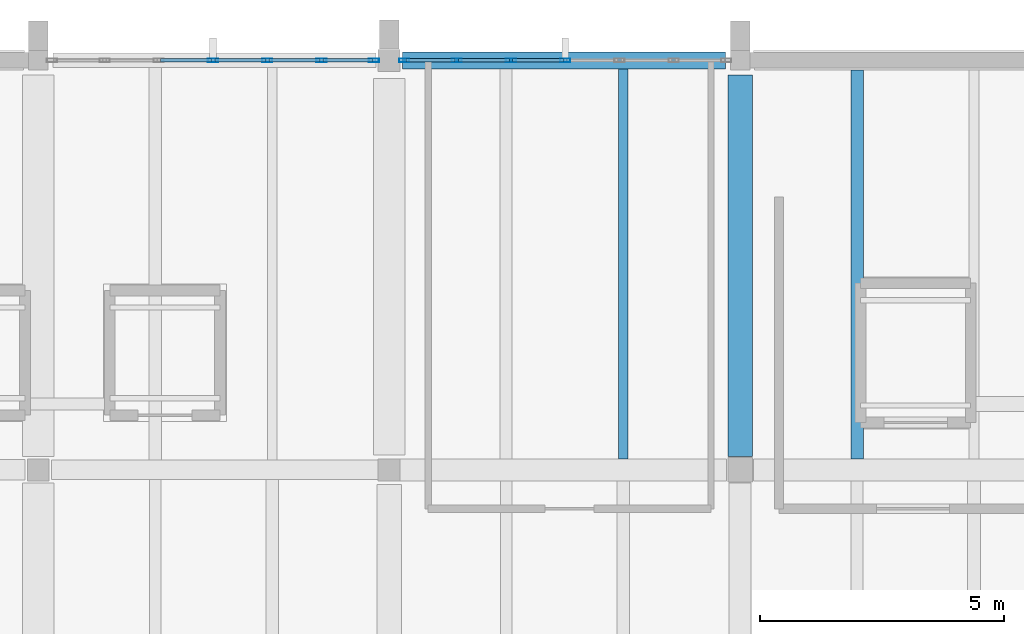
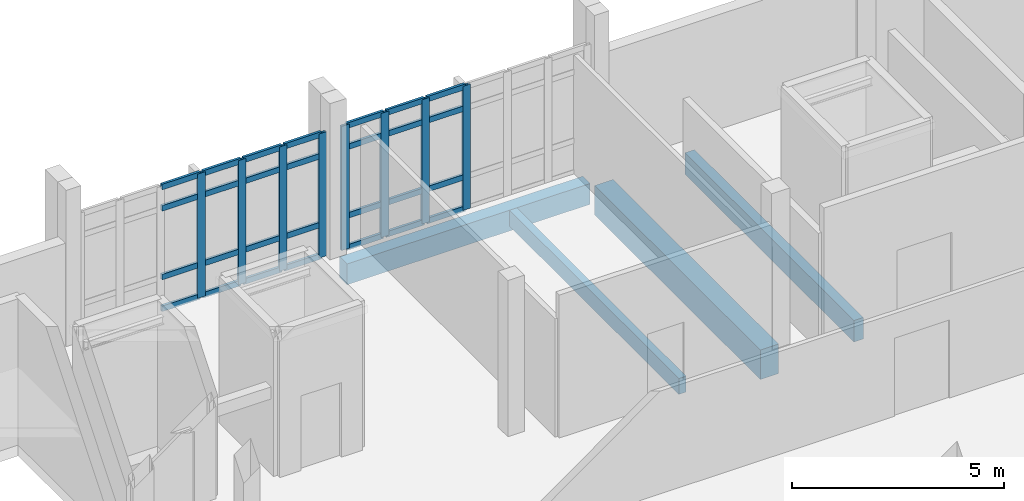
# One storey, part 14 of 34: 36 members, 4 beams, 2 elements without a shape of their own.
"""IFC4 building model written with IfcOpenShell, lengths in metres."""

import ifcopenshell
import ifcopenshell.guid

model = None  # the IFC model being written
_history = None  # IfcOwnerHistory: only IFC2X3 demands one
_inside = {}  # id of a spatial element -> (the spatial element, [elements in it])
_under = {}  # id of a project, library or spatial element -> (it, [spatial elements below it])
_declared = {}  # id of a project -> (the project, [libraries it declares])
_typed = {}  # id of a type object -> (the type object, [elements of that type])
_made_of = {}  # id of a material, layer set ... -> (it, [elements and type objects made of it])


def new_model(schema):
    """Start an empty IFC model of exactly this schema.

    Asked for "IFC4X3", IfcOpenShell would pick the latest addendum, in which some entities
    have other attributes; the version numbers below select the first issue.
    IFC2X3 requires an IfcOwnerHistory on every rooted entity: one is made here for all.
    """
    global model, _history
    if schema == "IFC4X3":
        model = ifcopenshell.file(schema_version=(4, 3, 0, 0))
    else:
        model = ifcopenshell.file(schema=schema)
    _inside.clear()
    _under.clear()
    _declared.clear()
    _typed.clear()
    _made_of.clear()
    _history = None
    if model.schema == "IFC2X3":
        org = make("IfcOrganization", Name="unknown")
        user = make(
            "IfcPersonAndOrganization",
            ThePerson=make("IfcPerson", FamilyName="unknown"),
            TheOrganization=org,
        )
        app = make(
            "IfcApplication",
            ApplicationDeveloper=org,
            Version="unknown",
            ApplicationFullName="unknown",
            ApplicationIdentifier="unknown",
        )
        _history = make(
            "IfcOwnerHistory",
            OwningUser=user,
            OwningApplication=app,
            ChangeAction="ADDED",
            CreationDate=0,
        )
    return model


def make(cls, **values):
    """One entity of the class cls with the attributes given. An attribute that is None is left unset."""
    return model.create_entity(
        cls, **{name: value for name, value in values.items() if value is not None}
    )


def rooted(cls, **values):
    """An entity with a GlobalId (a new one), such as an element, a storey or a relation."""
    return make(cls, GlobalId=ifcopenshell.guid.new(), OwnerHistory=_history, **values)


def si_unit(unit_type, name, prefix=None):
    """IfcSIUnit, for example si_unit("LENGTHUNIT", "METRE", prefix="MILLI")."""
    return make("IfcSIUnit", UnitType=unit_type, Prefix=prefix, Name=name)


def assignment(units):
    """IfcUnitAssignment: the units of a project."""
    return None if units is None else make("IfcUnitAssignment", Units=units)


def point(xyz):
    """IfcCartesianPoint."""
    return None if xyz is None else make("IfcCartesianPoint", Coordinates=xyz)


def direction(xyz):
    """IfcDirection."""
    return None if xyz is None else make("IfcDirection", DirectionRatios=xyz)


def frame(location, z_axis=None, x_axis=None):
    """IfcAxis2Placement3D, a coordinate frame: its origin and axes. An axis left out is left unset."""
    return make(
        "IfcAxis2Placement3D",
        Location=point(location),
        Axis=direction(z_axis),
        RefDirection=direction(x_axis),
    )


def frame_2d(location, x_axis=None):
    """IfcAxis2Placement2D, a coordinate frame in the plane: its origin and x axis."""
    return make(
        "IfcAxis2Placement2D", Location=point(location), RefDirection=direction(x_axis)
    )


def origin():
    """The frame at (0, 0, 0) with its axes left unset."""
    return frame((0.0, 0.0, 0.0))


def origin_2d():
    """The frame at (0, 0) in the plane with its x axis left unset."""
    return frame_2d((0.0, 0.0))


def place(relative_to, where):
    """IfcLocalPlacement: puts the frame where relative to a parent placement (None: the world)."""
    return make(
        "IfcLocalPlacement", PlacementRelTo=relative_to, RelativePlacement=where
    )


def context(
    kind, dimensions, precision=None, world=None, true_north=None, identifier=None
):
    """IfcGeometricRepresentationContext, for example the 3D "Model" context."""
    return make(
        "IfcGeometricRepresentationContext",
        ContextIdentifier=identifier,
        ContextType=kind,
        CoordinateSpaceDimension=dimensions,
        Precision=precision,
        WorldCoordinateSystem=world,
        TrueNorth=true_north,
    )


def subcontext(parent, identifier, kind, view, scale=None):
    """IfcGeometricRepresentationSubContext, for example "Body" below "Model"."""
    return make(
        "IfcGeometricRepresentationSubContext",
        ContextIdentifier=identifier,
        ContextType=kind,
        ParentContext=parent,
        TargetScale=scale,
        TargetView=view,
    )


def project(units=None, contexts=None):
    """IfcProject with its units and contexts."""
    return rooted(
        "IfcProject",
        Name="project",
        RepresentationContexts=contexts,
        UnitsInContext=assignment(units),
    )


def spatial(cls, under=None, at=None, **own):
    """A site, building, storey or space (cls), placed at a placement, below another one or the project."""
    s = rooted(cls, ObjectPlacement=at, **own)
    if under is not None:
        _under.setdefault(under.id(), (under, []))[1].append(s)
    return s


def profile(cls, at=None, kind="AREA", **sizes):
    """A parametric profile (cls). Its sizes go by their IFC names, for example OverallWidth=200.0."""
    return make(cls, ProfileType=kind, Position=at, **sizes)


def rectangle(**sizes):
    """IfcRectangleProfileDef."""
    return profile("IfcRectangleProfileDef", **sizes)


def hollow_rectangle(**sizes):
    """IfcRectangleHollowProfileDef."""
    return profile("IfcRectangleHollowProfileDef", **sizes)


def extrude(swept, where, along, depth):
    """IfcExtrudedAreaSolid: the profile swept, set in the frame where, extruded along a direction by depth."""
    return make(
        "IfcExtrudedAreaSolid",
        SweptArea=swept,
        Position=where,
        ExtrudedDirection=direction(along),
        Depth=depth,
    )


def shape(context_of_items, identifier, shape_type, items):
    """IfcShapeRepresentation: the items that make up one representation, for example the "Body"."""
    return make(
        "IfcShapeRepresentation",
        ContextOfItems=context_of_items,
        RepresentationIdentifier=identifier,
        RepresentationType=shape_type,
        Items=items,
    )


def material(Name=None, Category=None):
    """IfcMaterial."""
    return make("IfcMaterial", Name=Name, Category=Category)


def material_profile(
    of_material, cross_section, Name=None, Category=None, Priority=None
):
    """IfcMaterialProfile: a cross section and its material."""
    return make(
        "IfcMaterialProfile",
        Name=Name,
        Material=of_material,
        Profile=cross_section,
        Priority=Priority,
        Category=Category,
    )


def profile_set(profiles, Name=None, composite=None):
    """IfcMaterialProfileSet."""
    return make(
        "IfcMaterialProfileSet",
        Name=Name,
        MaterialProfiles=profiles,
        CompositeProfile=composite,
    )


def made_of(thing, what):
    """Note that an element or type object is made of a material, layer set ...; save() writes the relation."""
    if what is not None:
        _made_of.setdefault(what.id(), (what, []))[1].append(thing)
    return thing


def type_object(cls, material=None, **own):
    """A type object (cls), such as IfcWallType, which elements share."""
    return made_of(rooted(cls, **own), material)


def element(
    cls,
    number,
    at=None,
    inside=None,
    cuts=None,
    type_object=None,
    material=None,
    context=None,
    identifier="Body",
    shape_type=None,
    held_by="IfcProductDefinitionShape",
    body=None,
    shapes=None,
    **own,
):
    """One element of the class cls, such as IfcWall. Its Tag is "e" and its number.

    at: its placement. inside: the storey or other place that contains it. cuts: it is an
    opening in that element (IfcRelVoidsElement). A single representation is given by context,
    identifier, shape_type and body (its items); several are given by shapes. held_by: the class
    of the entity that holds the representations. save() writes the other relations.
    """
    e = rooted(cls, Tag="e%d" % number, ObjectPlacement=at, **own)
    if body is not None:
        shapes = [shape(context, identifier, shape_type, body)]
    if shapes is not None:
        e.Representation = make(held_by, Representations=shapes)
    if inside is not None:
        _inside.setdefault(inside.id(), (inside, []))[1].append(e)
    if cuts is not None:
        rooted(
            "IfcRelVoidsElement", RelatingBuildingElement=cuts, RelatedOpeningElement=e
        )
    if type_object is not None:
        _typed.setdefault(type_object.id(), (type_object, []))[1].append(e)
    return made_of(e, material)


def aggregate(whole, parts):
    """IfcRelAggregates: a whole, such as a stair, and the parts it consists of."""
    return rooted("IfcRelAggregates", RelatingObject=whole, RelatedObjects=parts)


def save(model, path):
    """Write the relations noted so far, then the file.

    IfcRelAggregates (storeys below a building ...), IfcRelContainedInSpatialStructure (elements
    in a storey), IfcRelDefinesByType, IfcRelAssociatesMaterial and IfcRelDeclares: one each for
    every whole, place, type object, material and project.
    """
    for whole, parts in _under.values():
        aggregate(whole, parts)
    for where, things in _inside.values():
        rooted(
            "IfcRelContainedInSpatialStructure",
            RelatedElements=things,
            RelatingStructure=where,
        )
    for kind, things in _typed.values():
        rooted("IfcRelDefinesByType", RelatedObjects=things, RelatingType=kind)
    for what, things in _made_of.values():
        rooted("IfcRelAssociatesMaterial", RelatedObjects=things, RelatingMaterial=what)
    for by, libraries in _declared.values():
        rooted("IfcRelDeclares", RelatingContext=by, RelatedDefinitions=libraries)
    model.write(path)


model = new_model("IFC4")

# Units and contexts
model_context = context("Model", 3, precision=1e-05, world=origin(), true_north=direction((0.0, 1.0)))
body_context = subcontext(model_context, "Body", "Model", "MODEL_VIEW")
ifc_project = project(units=[si_unit("LENGTHUNIT", "METRE"), si_unit("AREAUNIT", "SQUARE_METRE"), si_unit("VOLUMEUNIT", "CUBIC_METRE"), si_unit("PLANEANGLEUNIT", "RADIAN"), si_unit("MASSUNIT", "GRAM", prefix="KILO")], contexts=[model_context])

# Site, building, storey
site_placement = place(None, origin())
site = spatial("IfcSite", under=ifc_project, at=site_placement, CompositionType="ELEMENT")
building_placement = place(site_placement, origin())
building = spatial("IfcBuilding", under=site, at=building_placement, Name="Kalluvel Institute of Natural Sciences", CompositionType="ELEMENT")
storey_placement = place(building_placement, frame((0.0, 0.0, 36.89990234375)))
storey = spatial("IfcBuildingStorey", under=building, at=storey_placement, Name="L08", CompositionType="ELEMENT", Elevation=36.89990234375)

# Beam
ifc_material_1 = material(Name="Concrete M50", Category="concrete")
ifc_material_profile_1 = material_profile(ifc_material_1, rectangle(XDim=0.5, YDim=0.85009765625, at=origin_2d()), Name="RCB 500x850")
ifc_profile_set_1 = profile_set([ifc_material_profile_1], Name="Concrete M50")
beam_type_1 = type_object("IfcBeamType", Name="BM-RC500x850", PredefinedType="BEAM", material=ifc_profile_set_1)
beam_1_placement = place(storey_placement, frame((57.199951171875, 119.875, -0.744873046875), z_axis=(0.0, 1.0, 0.0), x_axis=(-1.0, 0.0, 0.0)))
element("IfcBeam", 1, at=beam_1_placement, inside=storey, type_object=beam_type_1, Name="L08 girder GIR-L08-NS-X572-Y1196", PredefinedType="BEAM", context=body_context, shape_type="SweptSolid", body=[
    extrude(rectangle(XDim=0.5, YDim=0.85009765625, at=origin_2d()), origin(), (0.0, 0.0, 1.0), 7.824951171875),
])

# Curtain wall, members
ifc_material_2 = material(Name="Aluminium AW-6063 T6", Category="aluminium")
curtain_wall_type = type_object("IfcCurtainWallType", Name="CW-WET-45", PredefinedType="USERDEFINED", material=ifc_material_2)
curtain_wall_1_placement = place(storey_placement, origin())
curtain_wall_1 = element("IfcCurtainWall", 2, at=curtain_wall_1_placement, inside=storey, type_object=curtain_wall_type, Name="L08 Gothic lancet curtain wall CWA-L08-X430-Y1280", ObjectType="UNITISED LANCET FACADE", PredefinedType="USERDEFINED")
ifc_material_profile_2 = material_profile(ifc_material_2, hollow_rectangle(XDim=0.070068359375, YDim=0.2099609375, WallThickness=0.0048828125, at=origin_2d()), Name="CWM 70x210")
ifc_profile_set_2 = profile_set([ifc_material_profile_2], Name="Aluminium AW-6063 T6")
member_type_1 = type_object("IfcMemberType", Name="CWM-70x210", PredefinedType="MULLION", material=ifc_profile_set_2)
member_1_placement = place(storey_placement, frame((46.387451171875, 128.0, 0.0), z_axis=(0.0, 0.0, 1.0), x_axis=(0.0, 1.0, 0.0)))
member_1 = element("IfcMember", 3, at=member_1_placement, type_object=member_type_1, Name="CW-01 mullion 4", PredefinedType="MULLION", context=body_context, shape_type="SweptSolid", body=[
    extrude(hollow_rectangle(XDim=0.070068359375, YDim=0.2099609375, WallThickness=0.0048828125, at=origin_2d()), origin(), (0.0, 0.0, 1.0), 3.580078125),
])
member_2_placement = place(storey_placement, frame((47.5, 128.0, 0.0), z_axis=(0.0, 0.0, 1.0), x_axis=(0.0, 1.0, 0.0)))
member_2 = element("IfcMember", 4, at=member_2_placement, type_object=member_type_1, Name="CW-01 mullion 5", PredefinedType="MULLION", context=body_context, shape_type="SweptSolid", body=[
    extrude(hollow_rectangle(XDim=0.070068359375, YDim=0.2099609375, WallThickness=0.0048828125, at=origin_2d()), origin(), (0.0, 0.0, 1.0), 3.580078125),
])
member_3_placement = place(storey_placement, frame((48.612548828125, 128.0, 0.0), z_axis=(0.0, 0.0, 1.0), x_axis=(0.0, 1.0, 0.0)))
member_3 = element("IfcMember", 5, at=member_3_placement, type_object=member_type_1, Name="CW-01 mullion 6", PredefinedType="MULLION", context=body_context, shape_type="SweptSolid", body=[
    extrude(hollow_rectangle(XDim=0.070068359375, YDim=0.2099609375, WallThickness=0.0048828125, at=origin_2d()), origin(), (0.0, 0.0, 1.0), 3.580078125),
])
member_4_placement = place(storey_placement, frame((49.68994140625, 128.0, 0.0), z_axis=(0.0, 0.0, 1.0), x_axis=(0.0, 1.0, 0.0)))
member_4 = element("IfcMember", 6, at=member_4_placement, type_object=member_type_1, Name="CW-01 mullion 7", PredefinedType="MULLION", context=body_context, shape_type="SweptSolid", body=[
    extrude(hollow_rectangle(XDim=0.070068359375, YDim=0.2099609375, WallThickness=0.0048828125, at=origin_2d()), origin(), (0.0, 0.0, 1.0), 3.580078125),
])

curtain_wall_2_placement = place(storey_placement, origin())
curtain_wall_2 = element("IfcCurtainWall", 7, at=curtain_wall_2_placement, inside=storey, type_object=curtain_wall_type, Name="L08 Gothic lancet curtain wall CWA-L08-X503-Y1280", ObjectType="UNITISED LANCET FACADE", PredefinedType="USERDEFINED")
member_5_placement = place(storey_placement, frame((50.31005859375, 128.0, 0.0), z_axis=(0.0, 0.0, 1.0), x_axis=(0.0, 1.0, 0.0)))
member_5 = element("IfcMember", 8, at=member_5_placement, type_object=member_type_1, Name="CW-01 mullion 1", PredefinedType="MULLION", context=body_context, shape_type="SweptSolid", body=[
    extrude(hollow_rectangle(XDim=0.070068359375, YDim=0.2099609375, WallThickness=0.0048828125, at=origin_2d()), origin(), (0.0, 0.0, 1.0), 3.580078125),
])
member_6_placement = place(storey_placement, frame((51.387451171875, 128.0, 0.0), z_axis=(0.0, 0.0, 1.0), x_axis=(0.0, 1.0, 0.0)))
member_6 = element("IfcMember", 9, at=member_6_placement, type_object=member_type_1, Name="CW-01 mullion 2", PredefinedType="MULLION", context=body_context, shape_type="SweptSolid", body=[
    extrude(hollow_rectangle(XDim=0.070068359375, YDim=0.2099609375, WallThickness=0.0048828125, at=origin_2d()), origin(), (0.0, 0.0, 1.0), 3.580078125),
])
member_7_placement = place(storey_placement, frame((52.5, 128.0, 0.0), z_axis=(0.0, 0.0, 1.0), x_axis=(0.0, 1.0, 0.0)))
member_7 = element("IfcMember", 10, at=member_7_placement, type_object=member_type_1, Name="CW-01 mullion 3", PredefinedType="MULLION", context=body_context, shape_type="SweptSolid", body=[
    extrude(hollow_rectangle(XDim=0.070068359375, YDim=0.2099609375, WallThickness=0.0048828125, at=origin_2d()), origin(), (0.0, 0.0, 1.0), 3.580078125),
])
member_8_placement = place(storey_placement, frame((53.612548828125, 128.0, 0.0), z_axis=(0.0, 0.0, 1.0), x_axis=(0.0, 1.0, 0.0)))
member_8 = element("IfcMember", 11, at=member_8_placement, type_object=member_type_1, Name="CW-01 mullion 4", PredefinedType="MULLION", context=body_context, shape_type="SweptSolid", body=[
    extrude(hollow_rectangle(XDim=0.070068359375, YDim=0.2099609375, WallThickness=0.0048828125, at=origin_2d()), origin(), (0.0, 0.0, 1.0), 3.580078125),
])

# Member
ifc_material_profile_3 = material_profile(ifc_material_2, hollow_rectangle(XDim=0.070068359375, YDim=0.159912109375, WallThickness=0.0048828125, at=origin_2d()), Name="CWT 70x160")
ifc_profile_set_3 = profile_set([ifc_material_profile_3], Name="Aluminium AW-6063 T6")
member_type_2 = type_object("IfcMemberType", Name="CWT-70x160", PredefinedType="USERDEFINED", material=ifc_profile_set_3)
member_9_placement = place(storey_placement, frame((45.31005859375, 128.0, 0.03515625), z_axis=(1.0, 0.0, 0.0), x_axis=(0.0, 1.0, 0.0)))
member_9 = element("IfcMember", 12, at=member_9_placement, type_object=member_type_2, Name="CW-01 transom 3.1", ObjectType="TRANSOM", PredefinedType="USERDEFINED", context=body_context, shape_type="SweptSolid", body=[
    extrude(hollow_rectangle(XDim=0.070068359375, YDim=0.159912109375, WallThickness=0.0048828125, at=origin_2d()), origin(), (0.0, 0.0, 1.0), 1.04248046875),
])

member_10_placement = place(storey_placement, frame((45.31005859375, 128.0, 0.9501953125), z_axis=(1.0, 0.0, 0.0), x_axis=(0.0, 1.0, 0.0)))
member_10 = element("IfcMember", 13, at=member_10_placement, type_object=member_type_2, Name="CW-01 transom 3.2", ObjectType="TRANSOM", PredefinedType="USERDEFINED", context=body_context, shape_type="SweptSolid", body=[
    extrude(hollow_rectangle(XDim=0.070068359375, YDim=0.159912109375, WallThickness=0.0048828125, at=origin_2d()), origin(), (0.0, 0.0, 1.0), 1.04248046875),
])

member_11_placement = place(storey_placement, frame((45.31005859375, 128.0, 2.93017578125), z_axis=(1.0, 0.0, 0.0), x_axis=(0.0, 1.0, 0.0)))
member_11 = element("IfcMember", 14, at=member_11_placement, type_object=member_type_2, Name="CW-01 transom 3.3", ObjectType="TRANSOM", PredefinedType="USERDEFINED", context=body_context, shape_type="SweptSolid", body=[
    extrude(hollow_rectangle(XDim=0.070068359375, YDim=0.159912109375, WallThickness=0.0048828125, at=origin_2d()), origin(), (0.0, 0.0, 1.0), 1.04248046875),
])

member_12_placement = place(storey_placement, frame((45.31005859375, 128.0, 3.545166015625), z_axis=(1.0, 0.0, 0.0), x_axis=(0.0, 1.0, 0.0)))
member_12 = element("IfcMember", 15, at=member_12_placement, type_object=member_type_2, Name="CW-01 transom 3.4", ObjectType="TRANSOM", PredefinedType="USERDEFINED", context=body_context, shape_type="SweptSolid", body=[
    extrude(hollow_rectangle(XDim=0.070068359375, YDim=0.159912109375, WallThickness=0.0048828125, at=origin_2d()), origin(), (0.0, 0.0, 1.0), 1.04248046875),
])

member_13_placement = place(storey_placement, frame((46.422607421875, 128.0, 0.03515625), z_axis=(1.0, 0.0, 0.0), x_axis=(0.0, 1.0, 0.0)))
member_13 = element("IfcMember", 16, at=member_13_placement, type_object=member_type_2, Name="CW-01 transom 4.1", ObjectType="TRANSOM", PredefinedType="USERDEFINED", context=body_context, shape_type="SweptSolid", body=[
    extrude(hollow_rectangle(XDim=0.070068359375, YDim=0.159912109375, WallThickness=0.0048828125, at=origin_2d()), origin(), (0.0, 0.0, 1.0), 1.04248046875),
])

member_14_placement = place(storey_placement, frame((46.422607421875, 128.0, 0.9501953125), z_axis=(1.0, 0.0, 0.0), x_axis=(0.0, 1.0, 0.0)))
member_14 = element("IfcMember", 17, at=member_14_placement, type_object=member_type_2, Name="CW-01 transom 4.2", ObjectType="TRANSOM", PredefinedType="USERDEFINED", context=body_context, shape_type="SweptSolid", body=[
    extrude(hollow_rectangle(XDim=0.070068359375, YDim=0.159912109375, WallThickness=0.0048828125, at=origin_2d()), origin(), (0.0, 0.0, 1.0), 1.04248046875),
])

member_15_placement = place(storey_placement, frame((46.422607421875, 128.0, 2.93017578125), z_axis=(1.0, 0.0, 0.0), x_axis=(0.0, 1.0, 0.0)))
member_15 = element("IfcMember", 18, at=member_15_placement, type_object=member_type_2, Name="CW-01 transom 4.3", ObjectType="TRANSOM", PredefinedType="USERDEFINED", context=body_context, shape_type="SweptSolid", body=[
    extrude(hollow_rectangle(XDim=0.070068359375, YDim=0.159912109375, WallThickness=0.0048828125, at=origin_2d()), origin(), (0.0, 0.0, 1.0), 1.04248046875),
])

member_16_placement = place(storey_placement, frame((46.422607421875, 128.0, 3.545166015625), z_axis=(1.0, 0.0, 0.0), x_axis=(0.0, 1.0, 0.0)))
member_16 = element("IfcMember", 19, at=member_16_placement, type_object=member_type_2, Name="CW-01 transom 4.4", ObjectType="TRANSOM", PredefinedType="USERDEFINED", context=body_context, shape_type="SweptSolid", body=[
    extrude(hollow_rectangle(XDim=0.070068359375, YDim=0.159912109375, WallThickness=0.0048828125, at=origin_2d()), origin(), (0.0, 0.0, 1.0), 1.04248046875),
])

member_17_placement = place(storey_placement, frame((47.534912109375, 128.0, 0.03515625), z_axis=(1.0, 0.0, 0.0), x_axis=(0.0, 1.0, 0.0)))
member_17 = element("IfcMember", 20, at=member_17_placement, type_object=member_type_2, Name="CW-01 transom 5.1", ObjectType="TRANSOM", PredefinedType="USERDEFINED", context=body_context, shape_type="SweptSolid", body=[
    extrude(hollow_rectangle(XDim=0.070068359375, YDim=0.159912109375, WallThickness=0.0048828125, at=origin_2d()), origin(), (0.0, 0.0, 1.0), 1.04248046875),
])

member_18_placement = place(storey_placement, frame((47.534912109375, 128.0, 0.9501953125), z_axis=(1.0, 0.0, 0.0), x_axis=(0.0, 1.0, 0.0)))
member_18 = element("IfcMember", 21, at=member_18_placement, type_object=member_type_2, Name="CW-01 transom 5.2", ObjectType="TRANSOM", PredefinedType="USERDEFINED", context=body_context, shape_type="SweptSolid", body=[
    extrude(hollow_rectangle(XDim=0.070068359375, YDim=0.159912109375, WallThickness=0.0048828125, at=origin_2d()), origin(), (0.0, 0.0, 1.0), 1.04248046875),
])

member_19_placement = place(storey_placement, frame((47.534912109375, 128.0, 2.93017578125), z_axis=(1.0, 0.0, 0.0), x_axis=(0.0, 1.0, 0.0)))
member_19 = element("IfcMember", 22, at=member_19_placement, type_object=member_type_2, Name="CW-01 transom 5.3", ObjectType="TRANSOM", PredefinedType="USERDEFINED", context=body_context, shape_type="SweptSolid", body=[
    extrude(hollow_rectangle(XDim=0.070068359375, YDim=0.159912109375, WallThickness=0.0048828125, at=origin_2d()), origin(), (0.0, 0.0, 1.0), 1.04248046875),
])

member_20_placement = place(storey_placement, frame((47.534912109375, 128.0, 3.545166015625), z_axis=(1.0, 0.0, 0.0), x_axis=(0.0, 1.0, 0.0)))
member_20 = element("IfcMember", 23, at=member_20_placement, type_object=member_type_2, Name="CW-01 transom 5.4", ObjectType="TRANSOM", PredefinedType="USERDEFINED", context=body_context, shape_type="SweptSolid", body=[
    extrude(hollow_rectangle(XDim=0.070068359375, YDim=0.159912109375, WallThickness=0.0048828125, at=origin_2d()), origin(), (0.0, 0.0, 1.0), 1.04248046875),
])

member_21_placement = place(storey_placement, frame((48.6474609375, 128.0, 0.03515625), z_axis=(1.0, 0.0, 0.0), x_axis=(0.0, 1.0, 0.0)))
member_21 = element("IfcMember", 24, at=member_21_placement, type_object=member_type_2, Name="CW-01 transom 6.1", ObjectType="TRANSOM", PredefinedType="USERDEFINED", context=body_context, shape_type="SweptSolid", body=[
    extrude(hollow_rectangle(XDim=0.070068359375, YDim=0.159912109375, WallThickness=0.0048828125, at=origin_2d()), origin(), (0.0, 0.0, 1.0), 1.007568359375),
])

member_22_placement = place(storey_placement, frame((48.6474609375, 128.0, 0.9501953125), z_axis=(1.0, 0.0, 0.0), x_axis=(0.0, 1.0, 0.0)))
member_22 = element("IfcMember", 25, at=member_22_placement, type_object=member_type_2, Name="CW-01 transom 6.2", ObjectType="TRANSOM", PredefinedType="USERDEFINED", context=body_context, shape_type="SweptSolid", body=[
    extrude(hollow_rectangle(XDim=0.070068359375, YDim=0.159912109375, WallThickness=0.0048828125, at=origin_2d()), origin(), (0.0, 0.0, 1.0), 1.007568359375),
])

member_23_placement = place(storey_placement, frame((48.6474609375, 128.0, 2.93017578125), z_axis=(1.0, 0.0, 0.0), x_axis=(0.0, 1.0, 0.0)))
member_23 = element("IfcMember", 26, at=member_23_placement, type_object=member_type_2, Name="CW-01 transom 6.3", ObjectType="TRANSOM", PredefinedType="USERDEFINED", context=body_context, shape_type="SweptSolid", body=[
    extrude(hollow_rectangle(XDim=0.070068359375, YDim=0.159912109375, WallThickness=0.0048828125, at=origin_2d()), origin(), (0.0, 0.0, 1.0), 1.007568359375),
])

member_24_placement = place(storey_placement, frame((48.6474609375, 128.0, 3.545166015625), z_axis=(1.0, 0.0, 0.0), x_axis=(0.0, 1.0, 0.0)))
member_24 = element("IfcMember", 27, at=member_24_placement, type_object=member_type_2, Name="CW-01 transom 6.4", ObjectType="TRANSOM", PredefinedType="USERDEFINED", context=body_context, shape_type="SweptSolid", body=[
    extrude(hollow_rectangle(XDim=0.070068359375, YDim=0.159912109375, WallThickness=0.0048828125, at=origin_2d()), origin(), (0.0, 0.0, 1.0), 1.007568359375),
])

aggregate(curtain_wall_1, [member_1, member_2, member_3, member_4, member_9, member_10, member_11, member_12, member_13, member_14, member_15, member_16, member_17, member_18, member_19, member_20, member_21, member_22, member_23, member_24])

member_25_placement = place(storey_placement, frame((50.344970703125, 128.0, 0.03515625), z_axis=(1.0, 0.0, 0.0), x_axis=(0.0, 1.0, 0.0)))
member_25 = element("IfcMember", 28, at=member_25_placement, type_object=member_type_2, Name="CW-01 transom 1.1", ObjectType="TRANSOM", PredefinedType="USERDEFINED", context=body_context, shape_type="SweptSolid", body=[
    extrude(hollow_rectangle(XDim=0.070068359375, YDim=0.159912109375, WallThickness=0.0048828125, at=origin_2d()), origin(), (0.0, 0.0, 1.0), 1.007568359375),
])

member_26_placement = place(storey_placement, frame((50.344970703125, 128.0, 0.9501953125), z_axis=(1.0, 0.0, 0.0), x_axis=(0.0, 1.0, 0.0)))
member_26 = element("IfcMember", 29, at=member_26_placement, type_object=member_type_2, Name="CW-01 transom 1.2", ObjectType="TRANSOM", PredefinedType="USERDEFINED", context=body_context, shape_type="SweptSolid", body=[
    extrude(hollow_rectangle(XDim=0.070068359375, YDim=0.159912109375, WallThickness=0.0048828125, at=origin_2d()), origin(), (0.0, 0.0, 1.0), 1.007568359375),
])

member_27_placement = place(storey_placement, frame((50.344970703125, 128.0, 2.93017578125), z_axis=(1.0, 0.0, 0.0), x_axis=(0.0, 1.0, 0.0)))
member_27 = element("IfcMember", 30, at=member_27_placement, type_object=member_type_2, Name="CW-01 transom 1.3", ObjectType="TRANSOM", PredefinedType="USERDEFINED", context=body_context, shape_type="SweptSolid", body=[
    extrude(hollow_rectangle(XDim=0.070068359375, YDim=0.159912109375, WallThickness=0.0048828125, at=origin_2d()), origin(), (0.0, 0.0, 1.0), 1.007568359375),
])

member_28_placement = place(storey_placement, frame((50.344970703125, 128.0, 3.545166015625), z_axis=(1.0, 0.0, 0.0), x_axis=(0.0, 1.0, 0.0)))
member_28 = element("IfcMember", 31, at=member_28_placement, type_object=member_type_2, Name="CW-01 transom 1.4", ObjectType="TRANSOM", PredefinedType="USERDEFINED", context=body_context, shape_type="SweptSolid", body=[
    extrude(hollow_rectangle(XDim=0.070068359375, YDim=0.159912109375, WallThickness=0.0048828125, at=origin_2d()), origin(), (0.0, 0.0, 1.0), 1.007568359375),
])

member_29_placement = place(storey_placement, frame((51.422607421875, 128.0, 0.03515625), z_axis=(1.0, 0.0, 0.0), x_axis=(0.0, 1.0, 0.0)))
member_29 = element("IfcMember", 32, at=member_29_placement, type_object=member_type_2, Name="CW-01 transom 2.1", ObjectType="TRANSOM", PredefinedType="USERDEFINED", context=body_context, shape_type="SweptSolid", body=[
    extrude(hollow_rectangle(XDim=0.070068359375, YDim=0.159912109375, WallThickness=0.0048828125, at=origin_2d()), origin(), (0.0, 0.0, 1.0), 1.04248046875),
])

member_30_placement = place(storey_placement, frame((51.422607421875, 128.0, 0.9501953125), z_axis=(1.0, 0.0, 0.0), x_axis=(0.0, 1.0, 0.0)))
member_30 = element("IfcMember", 33, at=member_30_placement, type_object=member_type_2, Name="CW-01 transom 2.2", ObjectType="TRANSOM", PredefinedType="USERDEFINED", context=body_context, shape_type="SweptSolid", body=[
    extrude(hollow_rectangle(XDim=0.070068359375, YDim=0.159912109375, WallThickness=0.0048828125, at=origin_2d()), origin(), (0.0, 0.0, 1.0), 1.04248046875),
])

member_31_placement = place(storey_placement, frame((51.422607421875, 128.0, 2.93017578125), z_axis=(1.0, 0.0, 0.0), x_axis=(0.0, 1.0, 0.0)))
member_31 = element("IfcMember", 34, at=member_31_placement, type_object=member_type_2, Name="CW-01 transom 2.3", ObjectType="TRANSOM", PredefinedType="USERDEFINED", context=body_context, shape_type="SweptSolid", body=[
    extrude(hollow_rectangle(XDim=0.070068359375, YDim=0.159912109375, WallThickness=0.0048828125, at=origin_2d()), origin(), (0.0, 0.0, 1.0), 1.04248046875),
])

member_32_placement = place(storey_placement, frame((51.422607421875, 128.0, 3.545166015625), z_axis=(1.0, 0.0, 0.0), x_axis=(0.0, 1.0, 0.0)))
member_32 = element("IfcMember", 35, at=member_32_placement, type_object=member_type_2, Name="CW-01 transom 2.4", ObjectType="TRANSOM", PredefinedType="USERDEFINED", context=body_context, shape_type="SweptSolid", body=[
    extrude(hollow_rectangle(XDim=0.070068359375, YDim=0.159912109375, WallThickness=0.0048828125, at=origin_2d()), origin(), (0.0, 0.0, 1.0), 1.04248046875),
])

member_33_placement = place(storey_placement, frame((52.534912109375, 128.0, 0.03515625), z_axis=(1.0, 0.0, 0.0), x_axis=(0.0, 1.0, 0.0)))
member_33 = element("IfcMember", 36, at=member_33_placement, type_object=member_type_2, Name="CW-01 transom 3.1", ObjectType="TRANSOM", PredefinedType="USERDEFINED", context=body_context, shape_type="SweptSolid", body=[
    extrude(hollow_rectangle(XDim=0.070068359375, YDim=0.159912109375, WallThickness=0.0048828125, at=origin_2d()), origin(), (0.0, 0.0, 1.0), 1.04248046875),
])

member_34_placement = place(storey_placement, frame((52.534912109375, 128.0, 0.9501953125), z_axis=(1.0, 0.0, 0.0), x_axis=(0.0, 1.0, 0.0)))
member_34 = element("IfcMember", 37, at=member_34_placement, type_object=member_type_2, Name="CW-01 transom 3.2", ObjectType="TRANSOM", PredefinedType="USERDEFINED", context=body_context, shape_type="SweptSolid", body=[
    extrude(hollow_rectangle(XDim=0.070068359375, YDim=0.159912109375, WallThickness=0.0048828125, at=origin_2d()), origin(), (0.0, 0.0, 1.0), 1.04248046875),
])

member_35_placement = place(storey_placement, frame((52.534912109375, 128.0, 2.93017578125), z_axis=(1.0, 0.0, 0.0), x_axis=(0.0, 1.0, 0.0)))
member_35 = element("IfcMember", 38, at=member_35_placement, type_object=member_type_2, Name="CW-01 transom 3.3", ObjectType="TRANSOM", PredefinedType="USERDEFINED", context=body_context, shape_type="SweptSolid", body=[
    extrude(hollow_rectangle(XDim=0.070068359375, YDim=0.159912109375, WallThickness=0.0048828125, at=origin_2d()), origin(), (0.0, 0.0, 1.0), 1.04248046875),
])

member_36_placement = place(storey_placement, frame((52.534912109375, 128.0, 3.545166015625), z_axis=(1.0, 0.0, 0.0), x_axis=(0.0, 1.0, 0.0)))
member_36 = element("IfcMember", 39, at=member_36_placement, type_object=member_type_2, Name="CW-01 transom 3.4", ObjectType="TRANSOM", PredefinedType="USERDEFINED", context=body_context, shape_type="SweptSolid", body=[
    extrude(hollow_rectangle(XDim=0.070068359375, YDim=0.159912109375, WallThickness=0.0048828125, at=origin_2d()), origin(), (0.0, 0.0, 1.0), 1.04248046875),
])

aggregate(curtain_wall_2, [member_5, member_6, member_7, member_8, member_25, member_26, member_27, member_28, member_29, member_30, member_31, member_32, member_33, member_34, member_35, member_36])

# Beams
ifc_material_3 = material(Name="Concrete M40", Category="concrete")
ifc_material_profile_4 = material_profile(ifc_material_3, rectangle(XDim=0.35009765625, YDim=0.60009765625, at=origin_2d()), Name="RCB 350x600")
ifc_profile_set_4 = profile_set([ifc_material_profile_4], Name="Concrete M40")
beam_type_2 = type_object("IfcBeamType", Name="SP-RC350x600", PredefinedType="SPANDREL", material=ifc_profile_set_4)
beam_2_placement = place(storey_placement, frame((50.27490234375, 128.0, -0.619873046875), z_axis=(1.0, 0.0, 0.0), x_axis=(0.0, 1.0, 0.0)))
element("IfcBeam", 40, at=beam_2_placement, inside=storey, type_object=beam_type_2, Name="L08 girder GIR-L08-EW-X500-Y1280", PredefinedType="SPANDREL", context=body_context, shape_type="SweptSolid", body=[
    extrude(rectangle(XDim=0.35009765625, YDim=0.60009765625, at=origin_2d()), origin(), (0.0, 0.0, 1.0), 6.625),
])
ifc_material_profile_5 = material_profile(ifc_material_3, rectangle(XDim=0.199951171875, YDim=0.4599609375, at=origin_2d()), Name="WAF 200x460")
ifc_profile_set_5 = profile_set([ifc_material_profile_5], Name="Concrete M40")
beam_type_3 = type_object("IfcBeamType", Name="WJ-200x460", PredefinedType="JOIST", material=ifc_profile_set_5)
beam_3_placement = place(storey_placement, frame((54.800048828125, 119.824951171875, -0.5498046875), z_axis=(0.0, 1.0, 0.0), x_axis=(-1.0, 0.0, 0.0)))
element("IfcBeam", 41, at=beam_3_placement, inside=storey, type_object=beam_type_3, Name="L08 waffle joist RIB-L08-0606", PredefinedType="JOIST", context=body_context, shape_type="SweptSolid", body=[
    extrude(rectangle(XDim=0.199951171875, YDim=0.4599609375, at=origin_2d()), origin(), (0.0, 0.0, 1.0), 8.0),
])
ifc_material_profile_6 = material_profile(ifc_material_1, rectangle(XDim=0.260009765625, YDim=0.6201171875, at=origin_2d()), Name="WAF 260x620")
ifc_profile_set_6 = profile_set([ifc_material_profile_6], Name="Concrete M50")
beam_type_4 = type_object("IfcBeamType", Name="WJ-260x620", PredefinedType="JOIST", material=ifc_profile_set_6)
beam_4_placement = place(storey_placement, frame((59.60009765625, 119.824951171875, -0.6298828125), z_axis=(0.0, 1.0, 0.0), x_axis=(-1.0, 0.0, 0.0)))
element("IfcBeam", 42, at=beam_4_placement, inside=storey, type_object=beam_type_4, Name="L08 waffle joist RIB-L08-0611", PredefinedType="JOIST", context=body_context, shape_type="SweptSolid", body=[
    extrude(rectangle(XDim=0.260009765625, YDim=0.6201171875, at=origin_2d()), origin(), (0.0, 0.0, 1.0), 7.97509765625),
])

save(model, "model.ifc")
